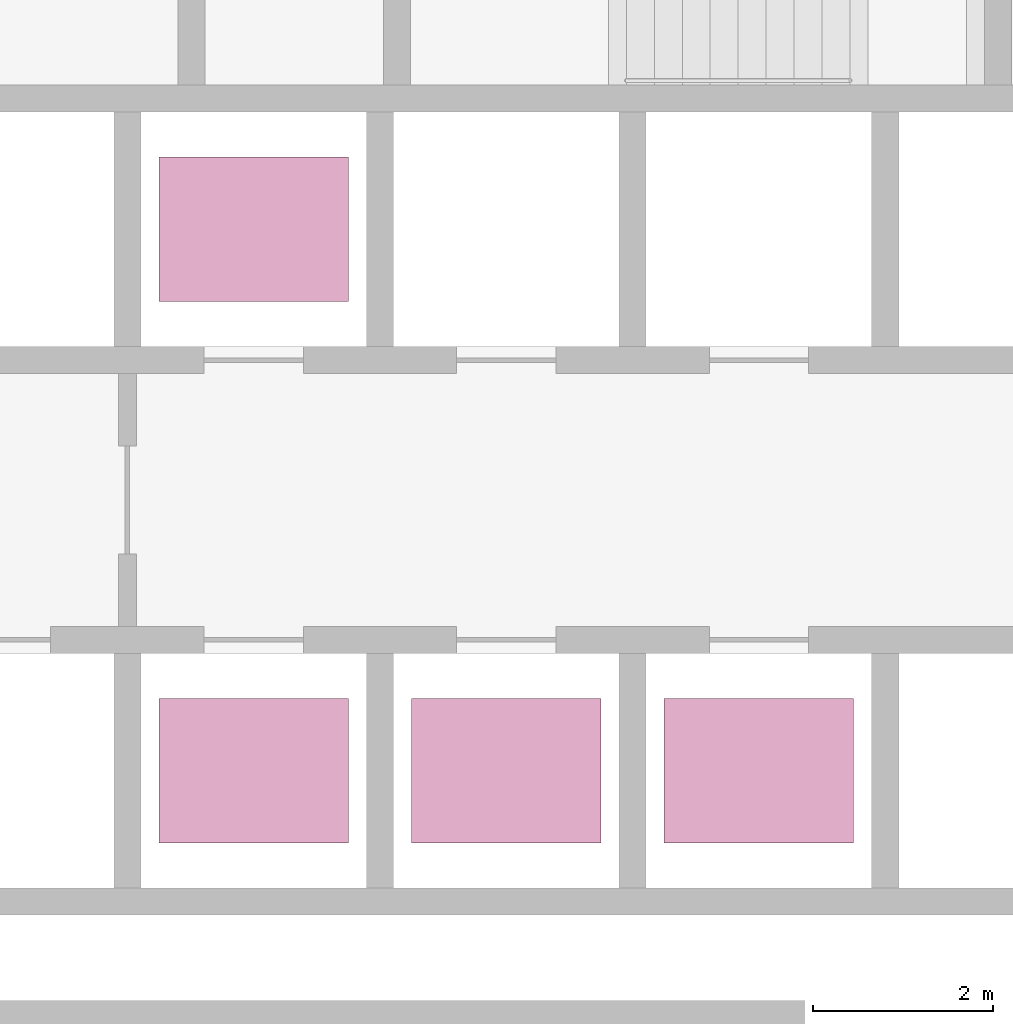
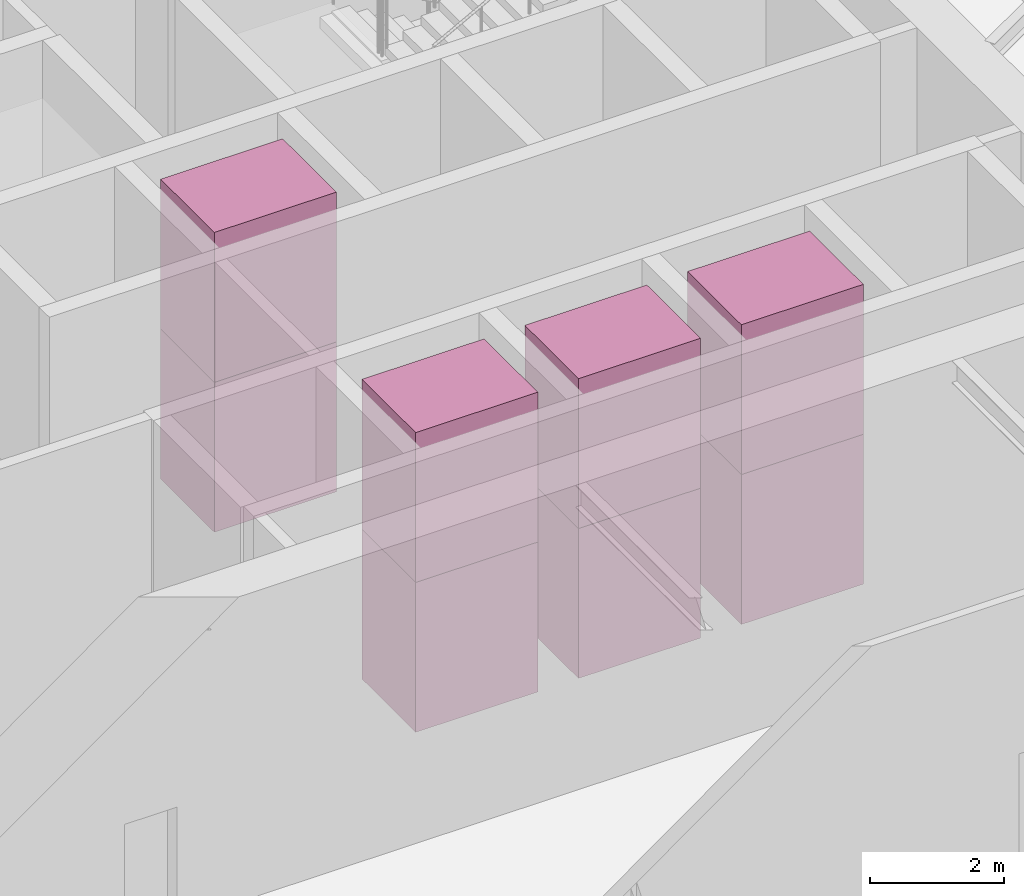
# One storey, part 16 of 16: 8 transport elements.
"""IFC4 building model written with IfcOpenShell, lengths in metres."""

from ifc_helpers import new_model, si_unit, direction, frame, origin, origin_2d, place, context, subcontext, project, spatial, rectangle, extrude, material, type_object, element, save


model = new_model("IFC4")

# Units and contexts
model_context = context("Model", 3, precision=1e-05, world=origin(), true_north=direction((0.0, 1.0)))
body_context = subcontext(model_context, "Body", "Model", "MODEL_VIEW")
ifc_project = project(units=[si_unit("LENGTHUNIT", "METRE"), si_unit("AREAUNIT", "SQUARE_METRE"), si_unit("VOLUMEUNIT", "CUBIC_METRE"), si_unit("PLANEANGLEUNIT", "RADIAN"), si_unit("MASSUNIT", "GRAM", prefix="KILO")], contexts=[model_context])

# Site, building, storey
site_placement = place(None, origin())
site = spatial("IfcSite", under=ifc_project, at=site_placement, CompositionType="ELEMENT")
building_placement = place(site_placement, origin())
building = spatial("IfcBuilding", under=site, at=building_placement, Name="Firuza Gate Tower and Library", CompositionType="ELEMENT")
storey_placement = place(building_placement, frame((0.0, 0.0, 241.60009765625)))
storey = spatial("IfcBuildingStorey", under=building, at=storey_placement, Name="L57", CompositionType="ELEMENT", Elevation=241.60009765625)

# Transport elements
ifc_material = material(Name="Stainless steel and glass", Category="steel")
transport_element_type = type_object("IfcTransportElementType", Name="High-rise lift car 2100x1600", PredefinedType="ELEVATOR", material=ifc_material)
for number, where, z_axis, x_axis, name in (
    (1, (74.64990234375, 70.300048828125, -0.000244140625), (0.0, 0.0, 1.0), (1.0, 0.0, 0.0), "High-rise lift HR1"),
    (2, (74.64990234375, 70.300048828125, 2.724853515625), (0.0, 0.0, 1.0), (1.0, 0.0, 0.0), "High-rise lift HR1"),
    (3, (77.449951171875, 70.300048828125, -0.000244140625), (0.0, 0.0, 1.0), (1.0, 0.0, 0.0), "High-rise lift HR2"),
    (4, (77.449951171875, 70.300048828125, 2.724853515625), (0.0, 0.0, 1.0), (1.0, 0.0, 0.0), "High-rise lift HR2"),
    (5, (80.25, 70.300048828125, -0.000244140625), (0.0, 0.0, 1.0), (1.0, 0.0, 0.0), "High-rise lift HR3"),
    (6, (80.25, 70.300048828125, 2.724853515625), (0.0, 0.0, 1.0), (1.0, 0.0, 0.0), "High-rise lift HR3"),
    (7, (74.64990234375, 76.300048828125, -0.000244140625), (0.0, 0.0, 1.0), (1.0, 0.0, 0.0), "High-rise lift HR4"),
    (8, (74.64990234375, 76.300048828125, 2.724853515625), (0.0, 0.0, 1.0), (1.0, 0.0, 0.0), "High-rise lift HR4"),
):
    element("IfcTransportElement", number, at=place(storey_placement, frame(where, z_axis=z_axis, x_axis=x_axis)), inside=storey, type_object=transport_element_type, Name=name, PredefinedType="ELEVATOR", context=body_context, shape_type="SweptSolid", body=[
        extrude(rectangle(XDim=2.10009765625, YDim=1.60009765625, at=origin_2d()), origin(), (0.0, 0.0, 1.0), 2.72509765625),
    ])

save(model, "model.ifc")
